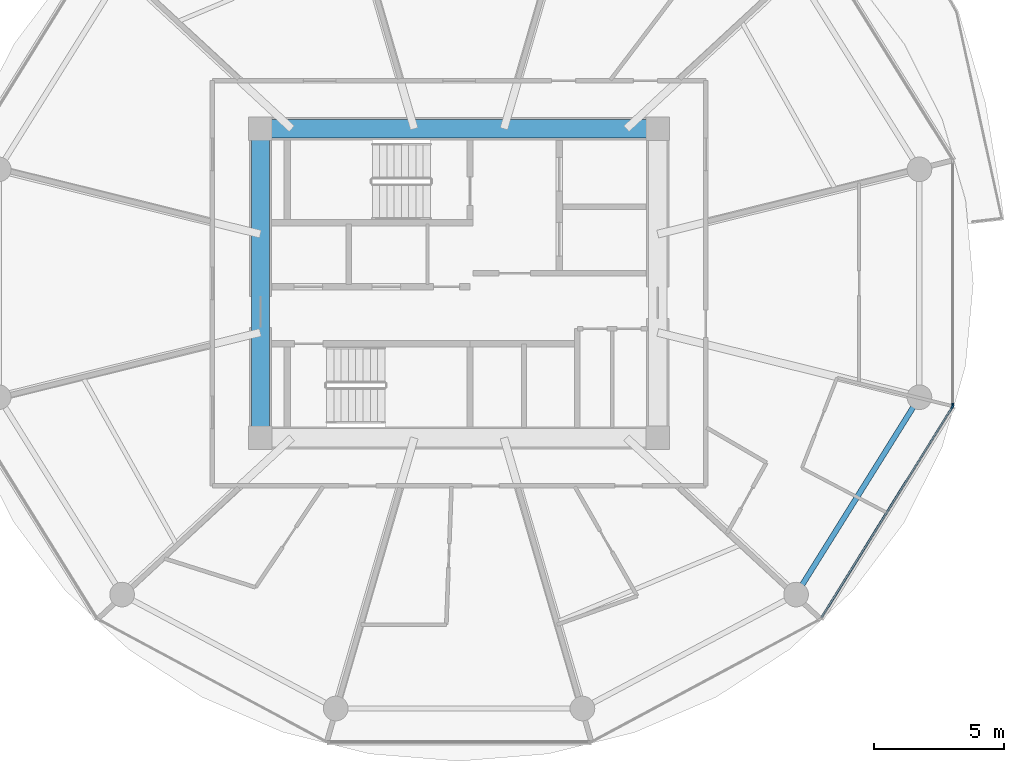
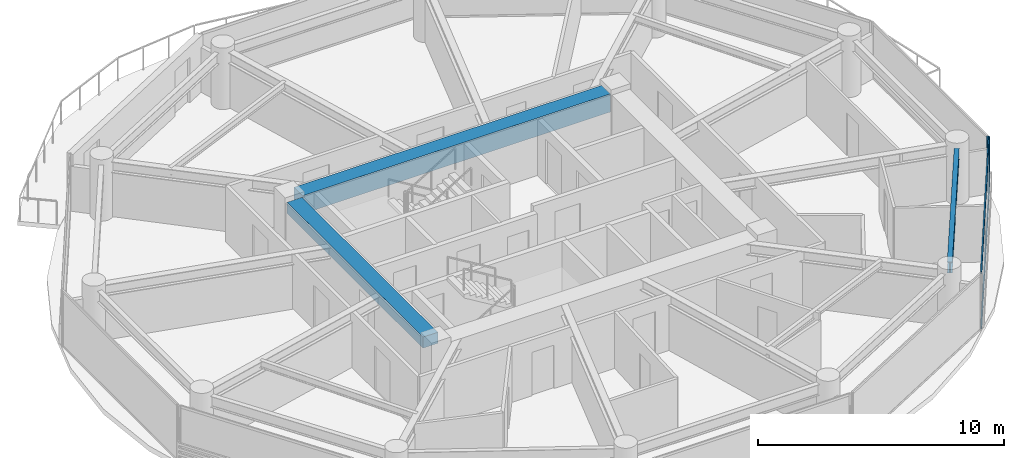
# One storey, part 11 of 26: 4 members, 3 beams, 2 elements without a shape of their own.
"""IFC4 building model written with IfcOpenShell, lengths in metres."""

from ifc_helpers import new_model, si_unit, direction, frame, origin, origin_2d, place, context, subcontext, project, spatial, rectangle, i_section, extrude, source, transform, mapped, material, layer, layer_set, material_profile, profile_set, type_object, type_shapes, element, aggregate, save


model = new_model("IFC4")

# Units and contexts
model_context = context("Model", 3, precision=1e-05, world=origin(), true_north=direction((0.0, 1.0)))
body_context = subcontext(model_context, "Body", "Model", "MODEL_VIEW")
ifc_project = project(units=[si_unit("LENGTHUNIT", "METRE"), si_unit("AREAUNIT", "SQUARE_METRE"), si_unit("VOLUMEUNIT", "CUBIC_METRE"), si_unit("PLANEANGLEUNIT", "RADIAN"), si_unit("MASSUNIT", "GRAM", prefix="KILO")], contexts=[model_context])

# Site, building, storey
site_placement = place(None, origin())
site = spatial("IfcSite", under=ifc_project, at=site_placement, CompositionType="ELEMENT")
building_placement = place(site_placement, origin())
building = spatial("IfcBuilding", under=site, at=building_placement, Name="Norrkilde Senior Care Towers", CompositionType="ELEMENT")
storey_placement = place(building_placement, frame((0.0, 0.0, 49.050048828125)))
storey = spatial("IfcBuildingStorey", under=building, at=storey_placement, Name="L14", CompositionType="ELEMENT", Elevation=49.050048828125)

# Beams
ifc_material_1 = material(Name="Concrete C60/75", Category="concrete")
ifc_material_profile_1 = material_profile(ifc_material_1, rectangle(XDim=0.699951171875, YDim=0.89990234375, at=origin_2d()), Name="RC BM 700x900")
ifc_profile_set_1 = profile_set([ifc_material_profile_1], Name="Concrete C60/75")
beam_type_1 = type_object("IfcBeamType", Name="Core Coupling Girder 700x900", PredefinedType="USERDEFINED", material=ifc_profile_set_1)
shared_shape_1 = source(origin(), body_context, "Body", "SweptSolid", [
    extrude(rectangle(XDim=0.699951171875, YDim=0.89990234375, at=origin_2d()), origin(), (0.0, 0.0, 1.0), 14.43994140625),
])
type_shapes(beam_type_1, [shared_shape_1])
beam_1_placement = place(storey_placement, frame((20.780029296875, 5.949951171875, 2.33984375), z_axis=(1.0, 0.0, 0.0), x_axis=(0.0, 1.0, 0.0)))
element("IfcBeam", 1, at=beam_1_placement, inside=storey, type_object=beam_type_1, Name="L14 Core E N Coupling Girder", ObjectType="GIRDER", PredefinedType="USERDEFINED", context=body_context, shape_type="MappedRepresentation", body=[
    mapped(shared_shape_1, transform((0.0, 0.0, 0.0), x_axis=(1.0, 0.0, 0.0), y_axis=(0.0, 1.0, 0.0), z_axis=(0.0, 0.0, 1.0), scale=1.0)),
])
ifc_material_profile_2 = material_profile(ifc_material_1, rectangle(XDim=0.699951171875, YDim=0.550048828125, at=origin_2d()), Name="RC BM 700x550")
ifc_profile_set_2 = profile_set([ifc_material_profile_2], Name="Concrete C60/75")
beam_type_2 = type_object("IfcBeamType", Name="Core Portal Coupling Beam 700x550", PredefinedType="USERDEFINED", material=ifc_profile_set_2)
shared_shape_2 = source(origin(), body_context, "Body", "SweptSolid", [
    extrude(rectangle(XDim=0.699951171875, YDim=0.550048828125, at=origin_2d()), origin(), (0.0, 0.0, 1.0), 11.0400390625),
])
type_shapes(beam_type_2, [shared_shape_2])
beam_2_placement = place(storey_placement, frame((20.35009765625, -5.52001953125, 2.514892578125), z_axis=(0.0, 1.0, 0.0), x_axis=(-1.0, 0.0, 0.0)))
element("IfcBeam", 2, at=beam_2_placement, inside=storey, type_object=beam_type_2, Name="L14 Core E W Coupling Girder", ObjectType="GIRDER", PredefinedType="USERDEFINED", context=body_context, shape_type="MappedRepresentation", body=[
    mapped(shared_shape_2, transform((0.0, 0.0, 0.0), x_axis=(1.0, 0.0, 0.0), y_axis=(0.0, 1.0, 0.0), z_axis=(0.0, 0.0, 1.0), scale=1.0)),
])
ifc_material_2 = material(Name="Steel S355", Category="steel")
ifc_material_profile_3 = material_profile(ifc_material_2, i_section(OverallWidth=0.2099609375, OverallDepth=0.550048828125, WebThickness=0.010986328125, FlangeThickness=0.01708984375, FilletRadius=0.02392578125, at=origin_2d()), Name="IPE 550")
ifc_profile_set_3 = profile_set([ifc_material_profile_3], Name="Steel S355")
beam_type_3 = type_object("IfcBeamType", Name="Perimeter Ring Spandrel Z1 IPE550", PredefinedType="SPANDREL", material=ifc_profile_set_3)
shared_shape_3 = source(origin(), body_context, "Body", "SweptSolid", [
    extrude(i_section(OverallWidth=0.2099609375, OverallDepth=0.550048828125, WebThickness=0.010986328125, FlangeThickness=0.01708984375, FilletRadius=0.02392578125, at=origin_2d()), origin(), (0.0, 0.0, 1.0), 8.090576171875),
])
type_shapes(beam_type_3, [shared_shape_3])
beam_3_placement = place(storey_placement, frame((41.2060546875, -11.61669921875, 2.514892578125), z_axis=(0.530004364821, 0.84799491347, 0.0), x_axis=(-0.84799491347, 0.530004364821, 0.0)))
element("IfcBeam", 3, at=beam_3_placement, inside=storey, type_object=beam_type_3, Name="L14 Drum E Perimeter Spandrel 11", PredefinedType="SPANDREL", context=body_context, shape_type="MappedRepresentation", body=[
    mapped(shared_shape_3, transform((0.0, 0.0, 0.0), x_axis=(1.0, 0.0, 0.0), y_axis=(0.0, 1.0, 0.0), z_axis=(0.0, 0.0, 1.0), scale=1.0)),
])

# Curtain wall, member
ifc_material_3 = material(Name="Triple Low-E Insulated Glazing", Category="glass")
ifc_layer = layer(ifc_material_3, 0.199951171875)
ifc_layer_set = layer_set([ifc_layer], Name="Triple Low-E Insulated Glazing")
curtain_wall_type = type_object("IfcCurtainWallType", Name="CW2 Zone 1 Memory Care Curtain Wall", PredefinedType="NOTDEFINED", material=ifc_layer_set)
curtain_wall_1_placement = place(storey_placement, origin())
curtain_wall_1 = element("IfcCurtainWall", 4, at=curtain_wall_1_placement, inside=storey, type_object=curtain_wall_type, Name="L14 Drum E Curtain Wall 10", PredefinedType="NOTDEFINED")
ifc_material_4 = material(Name="Anodised Aluminium", Category="aluminium")
ifc_material_profile_4 = material_profile(ifc_material_4, rectangle(XDim=0.06494140625, YDim=0.159912109375, at=origin_2d()), Name="ALU MULL 65x160")
ifc_profile_set_4 = profile_set([ifc_material_profile_4], Name="Anodised Aluminium")
member_type_1 = type_object("IfcMemberType", Name="Curtain Wall Mullion Z1-Z2 65x160", PredefinedType="MULLION", material=ifc_profile_set_4)
shared_shape_4 = source(origin(), body_context, "Body", "SweptSolid", [
    extrude(rectangle(XDim=0.06494140625, YDim=0.159912109375, at=origin_2d()), origin(), (0.0, 0.0, 1.0), 2.7900390625),
])
type_shapes(member_type_1, [shared_shape_4])
member_1_placement = place(storey_placement, frame((46.9921875, -4.7587890625, 0.0), z_axis=(0.0, 0.0, 1.0), x_axis=(0.849305943117, -0.527900951871, 0.0)))
member_1 = element("IfcMember", 5, at=member_1_placement, type_object=member_type_1, Name="CW-2 mullion 1", PredefinedType="MULLION", context=body_context, shape_type="MappedRepresentation", body=[
    mapped(shared_shape_4, transform((0.0, 0.0, 0.0), x_axis=(1.0, 0.0, 0.0), y_axis=(0.0, 1.0, 0.0), z_axis=(0.0, 0.0, 1.0), scale=1.0)),
])

curtain_wall_2_placement = place(storey_placement, origin())
curtain_wall_2 = element("IfcCurtainWall", 6, at=curtain_wall_2_placement, inside=storey, type_object=curtain_wall_type, Name="L14 Drum E Curtain Wall 11", PredefinedType="NOTDEFINED")
member_2_placement = place(storey_placement, frame((47.009521484375, -4.69873046875, 0.0), z_axis=(0.0, 0.0, 1.0), x_axis=(1.0, 0.0, 0.0)))
member_2 = element("IfcMember", 7, at=member_2_placement, type_object=member_type_1, Name="CW-2 mullion 2", PredefinedType="MULLION", context=body_context, shape_type="MappedRepresentation", body=[
    mapped(shared_shape_4, transform((0.0, 0.0, 0.0), x_axis=(1.0, 0.0, 0.0), y_axis=(0.0, 1.0, 0.0), z_axis=(0.0, 0.0, 1.0), scale=1.0)),
])
aggregate(curtain_wall_2, [member_2])

# Member
ifc_material_profile_5 = material_profile(ifc_material_4, rectangle(XDim=0.06005859375, YDim=0.1201171875, at=origin_2d()), Name="ALU TRAN 60x120")
ifc_profile_set_5 = profile_set([ifc_material_profile_5], Name="Anodised Aluminium")
member_type_2 = type_object("IfcMemberType", Name="Curtain Wall Transom Typical 60x120", PredefinedType="USERDEFINED", material=ifc_profile_set_5)
shared_shape_5 = source(origin(), body_context, "Body", "SweptSolid", [
    extrude(rectangle(XDim=0.06005859375, YDim=0.1201171875, at=origin_2d()), origin(), (0.0, 0.0, 1.0), 9.5185546875),
])
type_shapes(member_type_2, [shared_shape_5])
member_3_placement = place(storey_placement, frame((46.97509765625, -4.786376953125, 0.030029296875), z_axis=(-0.527901620669, -0.849305527413, 0.0), x_axis=(0.849305527413, -0.527901620669, 0.0)))
member_3 = element("IfcMember", 8, at=member_3_placement, type_object=member_type_2, Name="CW-2 transom 1.1", ObjectType="TRANSOM", PredefinedType="USERDEFINED", context=body_context, shape_type="MappedRepresentation", body=[
    mapped(shared_shape_5, transform((0.0, 0.0, 0.0), x_axis=(1.0, 0.0, 0.0), y_axis=(0.0, 1.0, 0.0), z_axis=(0.0, 0.0, 1.0), scale=1.0)),
])

member_4_placement = place(storey_placement, frame((46.97509765625, -4.786376953125, 2.760009765625), z_axis=(-0.527901620669, -0.849305527413, 0.0), x_axis=(0.849305527413, -0.527901620669, 0.0)))
member_4 = element("IfcMember", 9, at=member_4_placement, type_object=member_type_2, Name="CW-2 transom 1.2", ObjectType="TRANSOM", PredefinedType="USERDEFINED", context=body_context, shape_type="MappedRepresentation", body=[
    mapped(shared_shape_5, transform((0.0, 0.0, 0.0), x_axis=(1.0, 0.0, 0.0), y_axis=(0.0, 1.0, 0.0), z_axis=(0.0, 0.0, 1.0), scale=1.0)),
])

aggregate(curtain_wall_1, [member_1, member_3, member_4])

save(model, "model.ifc")
